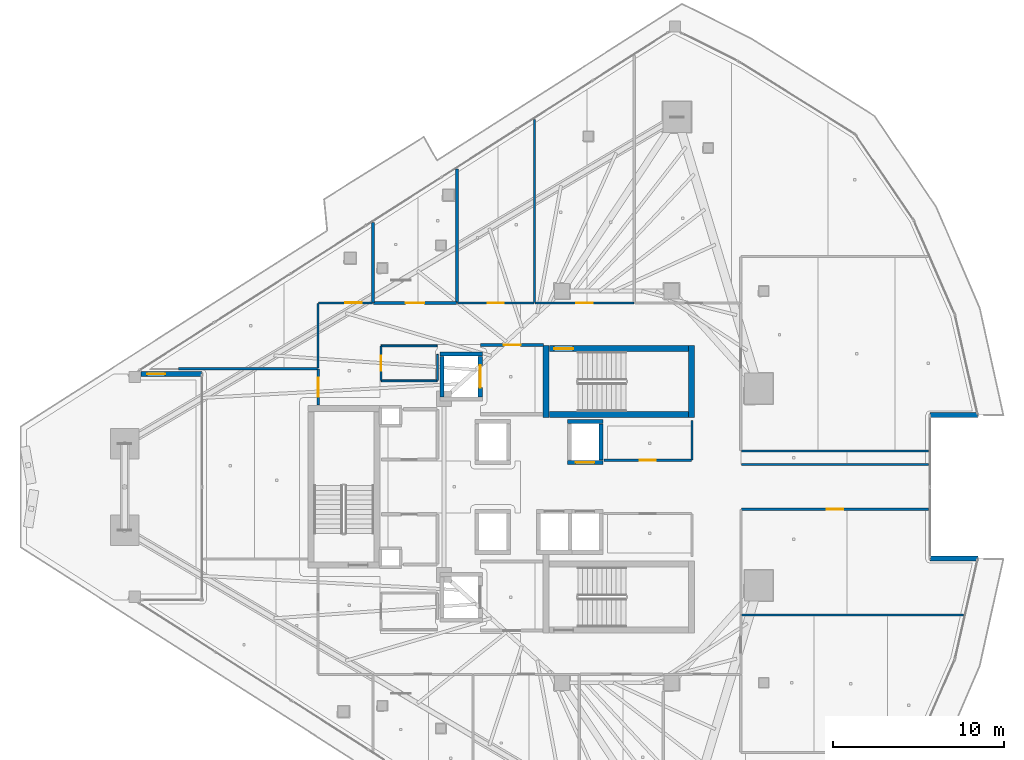
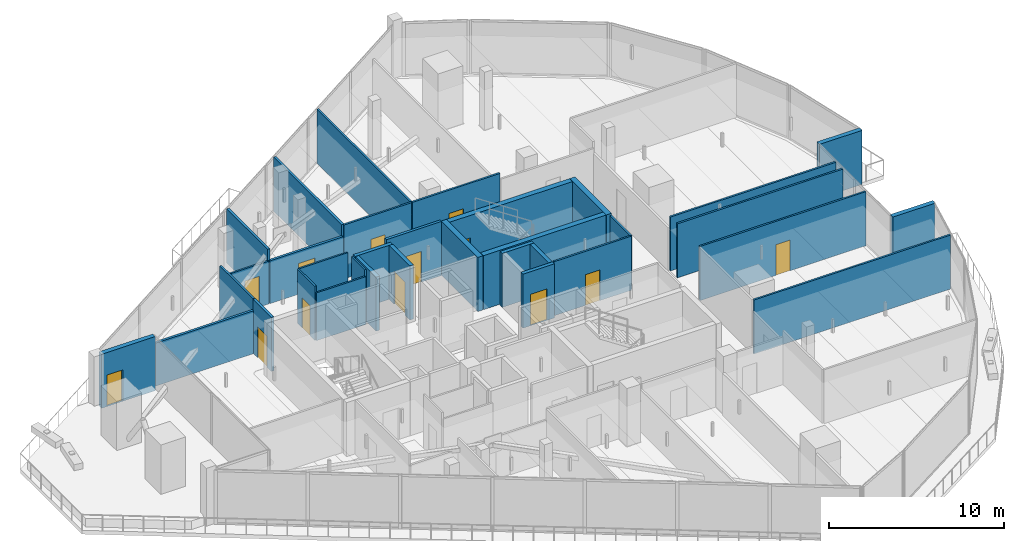
# One storey, part 30 of 40: 34 walls, 13 doors, 13 openings.
"""IFC4 building model written with IfcOpenShell, lengths in metres."""

from ifc_helpers import new_model, si_unit, direction, frame, frame_2d, origin, place, context, subcontext, project, spatial, rectangle, extrude, material, layer, layer_set, type_object, element, fill, save


model = new_model("IFC4")

# Units and contexts
model_context = context("Model", 3, precision=1e-05, world=origin(), true_north=direction((0.0, 1.0)))
body_context = subcontext(model_context, "Body", "Model", "MODEL_VIEW")
ifc_project = project(units=[si_unit("LENGTHUNIT", "METRE"), si_unit("AREAUNIT", "SQUARE_METRE"), si_unit("VOLUMEUNIT", "CUBIC_METRE"), si_unit("PLANEANGLEUNIT", "RADIAN"), si_unit("MASSUNIT", "GRAM", prefix="KILO")], contexts=[model_context])

# Site, building, storey
site_placement = place(None, origin())
site = spatial("IfcSite", under=ifc_project, at=site_placement, CompositionType="ELEMENT")
building_placement = place(site_placement, origin())
building = spatial("IfcBuilding", under=site, at=building_placement, Name="Qorvath Tower", CompositionType="ELEMENT")
storey_placement = place(building_placement, frame((0.0, 0.0, 225.300048828125)))
storey = spatial("IfcBuildingStorey", under=building, at=storey_placement, Name="L52", CompositionType="ELEMENT", Elevation=225.300048828125)

# Wall, opening, door
ifc_material_1 = material(Name="Gypsum shaftliner on steel studs", Category="steel")
ifc_layer_1 = layer(ifc_material_1, 0.179931640625)
ifc_layer_set_1 = layer_set([ifc_layer_1], Name="FW-LOBBY")
wall_type_1 = type_object("IfcWallType", Name="FW-LOBBY", PredefinedType="PARTITIONING", material=ifc_layer_set_1)
wall_1_placement = place(storey_placement, frame((-24.68408203125, 8.300048828125, 0.0), z_axis=(0.0, 0.0, 1.0), x_axis=(-1.0, 0.0, 0.0)))
wall_1 = element("IfcWall", 1, at=wall_1_placement, inside=storey, type_object=wall_type_1, Name="Interior Partition IW-T1-L52-002", PredefinedType="PARTITIONING", context=body_context, shape_type="SweptSolid", body=[
    extrude(rectangle(XDim=3.6708984375, YDim=0.179931640625, at=frame_2d((1.83544921875, 0.0))), origin(), (0.0, 0.0, 1.0), 3.780029296875),
])
opening_1_placement = place(wall_1_placement, frame((1.33544921875, 0.0, 0.0)))
opening_1 = element("IfcOpeningElement", 2, at=opening_1_placement, cuts=wall_1, Name="Opening D-T1-L52-21", PredefinedType="OPENING", context=body_context, shape_type="SweptSolid", body=[
    extrude(rectangle(XDim=1.0, YDim=2.14990234375, at=frame_2d((0.5, 1.074951171875))), frame((0.0, 0.10009765625, 0.0), z_axis=(0.0, -1.0, 0.0), x_axis=(1.0, 0.0, 0.0)), (0.0, 0.0, 1.0), 0.199951171875),
])
ifc_material_2 = material(Name="Painted galvanised hollow metal", Category="steel")
door_type_1 = type_object("IfcDoorType", Name="FD-60", OperationType="NOTDEFINED", PredefinedType="DOOR", material=ifc_material_2)
door_1_placement = place(opening_1_placement, origin())
door_1 = element("IfcDoor", 3, at=door_1_placement, inside=storey, type_object=door_type_1, Name="Lobby Fire Service Elevator North Door D-T1-L52-21", OperationType="SINGLE_SWING_RIGHT", OverallHeight=2.14990234375, OverallWidth=1.0, PredefinedType="DOOR", context=body_context, shape_type="SweptSolid", body=[
    extrude(rectangle(XDim=1.0, YDim=2.14990234375, at=frame_2d((0.5, 1.074951171875))), frame((0.0, 0.02490234375, 0.0), z_axis=(0.0, -1.0, 0.0), x_axis=(1.0, 0.0, 0.0)), (0.0, 0.0, 1.0), 0.050048828125),
])
fill(opening_1, door_1)

ifc_material_3 = material(Name="Double acoustic gypsum board on steel studs", Category="steel")
ifc_layer_2 = layer(ifc_material_3, 0.159912109375)
ifc_layer_set_2 = layer_set([ifc_layer_2], Name="IW-ACOUSTIC-160")
wall_type_2 = type_object("IfcWallType", Name="IW-ACOUSTIC-160", PredefinedType="PARTITIONING", material=ifc_layer_set_2)
wall_2_placement = place(storey_placement, frame((-34.625, 10.758056640625, 0.0), z_axis=(0.0, 0.0, 1.0), x_axis=(1.0, 0.0, 0.0)))
wall_2 = element("IfcWall", 4, at=wall_2_placement, inside=storey, type_object=wall_type_2, Name="Interior Partition IW-T1-L52-023", PredefinedType="PARTITIONING", context=body_context, shape_type="SweptSolid", body=[
    extrude(rectangle(XDim=4.861083984375, YDim=0.159912109375, at=frame_2d((2.4306640625, 0.0))), origin(), (0.0, 0.0, 1.0), 3.0),
])
opening_2_placement = place(wall_2_placement, frame((1.880615234375, 0.0, 0.0)))
opening_2 = element("IfcOpeningElement", 5, at=opening_2_placement, cuts=wall_2, Name="Opening D-T1-L52-07", PredefinedType="OPENING", context=body_context, shape_type="SweptSolid", body=[
    extrude(rectangle(XDim=1.10009765625, YDim=2.14990234375, at=frame_2d((0.550048828125, 1.074951171875))), frame((0.0, 0.08984375, 0.0), z_axis=(0.0, -1.0, 0.0), x_axis=(1.0, 0.0, 0.0)), (0.0, 0.0, 1.0), 0.179931640625),
])
ifc_material_4 = material(Name="Anodised aluminium acoustic framed glass", Category="aluminium")
door_type_2 = type_object("IfcDoorType", Name="D-03", OperationType="NOTDEFINED", PredefinedType="DOOR", material=ifc_material_4)
door_2_placement = place(opening_2_placement, origin())
door_2 = element("IfcDoor", 6, at=door_2_placement, inside=storey, type_object=door_type_2, Name="L52-01 Client Services Office Door D-T1-L52-07", OperationType="SINGLE_SWING_RIGHT", OverallHeight=2.14990234375, OverallWidth=1.10009765625, PredefinedType="DOOR", context=body_context, shape_type="SweptSolid", body=[
    extrude(rectangle(XDim=1.10009765625, YDim=2.14990234375, at=frame_2d((0.550048828125, 1.074951171875))), frame((0.0, 0.02490234375, 0.0), z_axis=(0.0, -1.0, 0.0), x_axis=(1.0, 0.0, 0.0)), (0.0, 0.0, 1.0), 0.050048828125),
])
fill(opening_2, door_2)

# Walls
wall_3_placement = place(storey_placement, frame((-29.73876953125, 10.783203125, 0.0), z_axis=(0.0, 0.0, 1.0), x_axis=(0.0, 1.0, 0.0)))
element("IfcWall", 7, at=wall_3_placement, inside=storey, type_object=wall_type_2, Name="Interior Partition IW-T1-L52-024", PredefinedType="PARTITIONING", context=body_context, shape_type="SweptSolid", body=[
    extrude(rectangle(XDim=7.81787109375, YDim=0.159912109375, at=frame_2d((3.908935546875, 0.0))), origin(), (0.0, 0.0, 1.0), 3.780029296875),
])
wall_4_placement = place(storey_placement, frame((-34.64990234375, 15.462158203125, 0.0), z_axis=(0.0, 0.0, 1.0), x_axis=(0.0, -1.0, 0.0)))
element("IfcWall", 8, at=wall_4_placement, inside=storey, type_object=wall_type_2, Name="Interior Partition IW-T1-L52-025", PredefinedType="PARTITIONING", context=body_context, shape_type="SweptSolid", body=[
    extrude(rectangle(XDim=4.678955078125, YDim=0.159912109375, at=frame_2d((2.33935546875, 0.0))), origin(), (0.0, 0.0, 1.0), 3.780029296875),
])

# Wall, opening, door
wall_5_placement = place(storey_placement, frame((-37.85791015625, 4.783203125, 0.0), z_axis=(0.0, 0.0, 1.0), x_axis=(0.0, 1.0, 0.0)))
wall_5 = element("IfcWall", 9, at=wall_5_placement, inside=storey, type_object=wall_type_2, Name="Interior Partition IW-T1-L52-054", PredefinedType="PARTITIONING", context=body_context, shape_type="SweptSolid", body=[
    extrude(rectangle(XDim=2.102783203125, YDim=0.159912109375, at=frame_2d((1.05126953125, 0.0))), origin(), (0.0, 0.0, 1.0), 3.780029296875),
])
opening_3_placement = place(wall_5_placement, frame((0.50146484375, 0.0, 0.0)))
opening_3 = element("IfcOpeningElement", 10, at=opening_3_placement, cuts=wall_5, Name="Opening D-T1-L52-19", PredefinedType="OPENING", context=body_context, shape_type="SweptSolid", body=[
    extrude(rectangle(XDim=1.10009765625, YDim=2.14990234375, at=frame_2d((0.550048828125, 1.074951171875))), frame((0.0, 0.08984375, 0.0), z_axis=(0.0, -1.0, 0.0), x_axis=(1.0, 0.0, 0.0)), (0.0, 0.0, 1.0), 0.179931640625),
])
door_3_placement = place(opening_3_placement, origin())
door_3 = element("IfcDoor", 11, at=door_3_placement, inside=storey, type_object=door_type_2, Name="L52-13 Client Services Office Door D-T1-L52-19", OperationType="SINGLE_SWING_RIGHT", OverallHeight=2.14990234375, OverallWidth=1.10009765625, PredefinedType="DOOR", context=body_context, shape_type="SweptSolid", body=[
    extrude(rectangle(XDim=1.10009765625, YDim=2.14990234375, at=frame_2d((0.550048828125, 1.074951171875))), frame((0.0, 0.02490234375, 0.0), z_axis=(0.0, -1.0, 0.0), x_axis=(1.0, 0.0, 0.0)), (0.0, 0.0, 1.0), 0.050048828125),
])
fill(opening_3, door_3)

# Wall
wall_6_placement = place(storey_placement, frame((-37.8828125, 6.910888671875, 0.0), z_axis=(0.0, 0.0, 1.0), x_axis=(-1.0, 0.0, 0.0)))
element("IfcWall", 12, at=wall_6_placement, inside=storey, type_object=wall_type_2, Name="Interior Partition IW-T1-L52-055", PredefinedType="PARTITIONING", context=body_context, shape_type="SweptSolid", body=[
    extrude(rectangle(XDim=8.1279296875, YDim=0.159912109375, at=frame_2d((4.06396484375, 0.0))), origin(), (0.0, 0.0, 1.0), 3.0),
])

# Wall, opening, door
ifc_material_5 = material(Name="Gypsum board on metal studs with mineral wool", Category="gypsum")
ifc_layer_3 = layer(ifc_material_5, 0.125)
ifc_layer_set_3 = layer_set([ifc_layer_3], Name="IW-PART-125")
wall_type_3 = type_object("IfcWallType", Name="IW-PART-125", PredefinedType="PARTITIONING", material=ifc_layer_set_3)
wall_7_placement = place(storey_placement, frame((-21.1337890625, 1.56005859375, 0.0), z_axis=(0.0, 0.0, 1.0), x_axis=(1.0, 0.0, 0.0)))
wall_7 = element("IfcWall", 13, at=wall_7_placement, inside=storey, type_object=wall_type_3, Name="Interior Partition IW-T1-L52-013", PredefinedType="PARTITIONING", context=body_context, shape_type="SweptSolid", body=[
    extrude(rectangle(XDim=5.10888671875, YDim=0.125, at=frame_2d((2.554443359375, 0.0))), origin(), (0.0, 0.0, 1.0), 3.780029296875),
])
opening_4_placement = place(wall_7_placement, frame((2.079345703125, 0.0, 0.0)))
opening_4 = element("IfcOpeningElement", 14, at=opening_4_placement, cuts=wall_7, Name="Opening D-T1-L52-03", PredefinedType="OPENING", context=body_context, shape_type="SweptSolid", body=[
    extrude(rectangle(XDim=0.949951171875, YDim=2.14990234375, at=frame_2d((0.47509765625, 1.074951171875))), frame((0.0, 0.072509765625, 0.0), z_axis=(0.0, -1.0, 0.0), x_axis=(1.0, 0.0, 0.0)), (0.0, 0.0, 1.0), 0.14501953125),
])
ifc_material_6 = material(Name="Solid-core American white oak veneer", Category="wood")
door_type_3 = type_object("IfcDoorType", Name="D-01", OperationType="NOTDEFINED", PredefinedType="DOOR", material=ifc_material_6)
door_4_placement = place(opening_4_placement, origin())
door_4 = element("IfcDoor", 15, at=door_4_placement, inside=storey, type_object=door_type_3, Name="L52-RCN North Quantitative Server Suite Door D-T1-L52-03", OperationType="SINGLE_SWING_RIGHT", OverallHeight=2.14990234375, OverallWidth=0.949951171875, PredefinedType="DOOR", context=body_context, shape_type="SweptSolid", body=[
    extrude(rectangle(XDim=0.949951171875, YDim=2.14990234375, at=frame_2d((0.47509765625, 1.074951171875))), frame((0.0, 0.02490234375, 0.0), z_axis=(0.0, -1.0, 0.0), x_axis=(1.0, 0.0, 0.0)), (0.0, 0.0, 1.0), 0.050048828125),
])
fill(opening_4, door_4)

# Wall
wall_8_placement = place(storey_placement, frame((-16.0, 1.585205078125, 0.0), z_axis=(0.0, 0.0, 1.0), x_axis=(0.0, 1.0, 0.0)))
element("IfcWall", 16, at=wall_8_placement, inside=storey, type_object=wall_type_3, Name="Interior Partition IW-T1-L52-014", PredefinedType="PARTITIONING", context=body_context, shape_type="SweptSolid", body=[
    extrude(rectangle(XDim=2.30224609375, YDim=0.125, at=frame_2d((1.151123046875, 0.0))), origin(), (0.0, 0.0, 1.0), 3.780029296875),
])

# Wall, opening, door
wall_9_placement = place(storey_placement, frame((-29.7060546875, 10.758056640625, 0.0), z_axis=(0.0, 0.0, 1.0), x_axis=(1.0, 0.0, 0.0)))
wall_9 = element("IfcWall", 17, at=wall_9_placement, inside=storey, type_object=wall_type_3, Name="Interior Partition IW-T1-L52-026", PredefinedType="PARTITIONING", context=body_context, shape_type="SweptSolid", body=[
    extrude(rectangle(XDim=4.46826171875, YDim=0.125, at=frame_2d((2.234130859375, 0.0))), origin(), (0.0, 0.0, 1.0), 3.780029296875),
])
opening_5_placement = place(wall_9_placement, frame((1.759033203125, 0.0, 0.0)))
opening_5 = element("IfcOpeningElement", 18, at=opening_5_placement, cuts=wall_9, Name="Opening D-T1-L52-08", PredefinedType="OPENING", context=body_context, shape_type="SweptSolid", body=[
    extrude(rectangle(XDim=0.949951171875, YDim=2.14990234375, at=frame_2d((0.47509765625, 1.074951171875))), frame((0.0, 0.072509765625, 0.0), z_axis=(0.0, -1.0, 0.0), x_axis=(1.0, 0.0, 0.0)), (0.0, 0.0, 1.0), 0.14501953125),
])
door_5_placement = place(opening_5_placement, origin())
door_5 = element("IfcDoor", 19, at=door_5_placement, inside=storey, type_object=door_type_3, Name="L52-02 Project Collaboration Workspace Door D-T1-L52-08", OperationType="SINGLE_SWING_LEFT", OverallHeight=2.14990234375, OverallWidth=0.949951171875, PredefinedType="DOOR", context=body_context, shape_type="SweptSolid", body=[
    extrude(rectangle(XDim=0.949951171875, YDim=2.14990234375, at=frame_2d((0.47509765625, 1.074951171875))), frame((0.0, 0.02490234375, 0.0), z_axis=(0.0, -1.0, 0.0), x_axis=(1.0, 0.0, 0.0)), (0.0, 0.0, 1.0), 0.050048828125),
])
fill(opening_5, door_5)

# Wall
wall_10_placement = place(storey_placement, frame((-25.212890625, 10.783203125, 0.0), z_axis=(0.0, 0.0, 1.0), x_axis=(0.0, 1.0, 0.0)))
element("IfcWall", 20, at=wall_10_placement, inside=storey, type_object=wall_type_3, Name="Interior Partition IW-T1-L52-027", PredefinedType="PARTITIONING", context=body_context, shape_type="SweptSolid", body=[
    extrude(rectangle(XDim=10.71044921875, YDim=0.125, at=frame_2d((5.355224609375, 0.0))), origin(), (0.0, 0.0, 1.0), 3.780029296875),
])

# Wall, opening, door
wall_11_placement = place(storey_placement, frame((-25.1796875, 10.758056640625, 0.0), z_axis=(0.0, 0.0, 1.0), x_axis=(1.0, 0.0, 0.0)))
wall_11 = element("IfcWall", 21, at=wall_11_placement, inside=storey, type_object=wall_type_3, Name="Interior Partition IW-T1-L52-028", PredefinedType="PARTITIONING", context=body_context, shape_type="SweptSolid", body=[
    extrude(rectangle(XDim=5.78076171875, YDim=0.125, at=frame_2d((2.890380859375, 0.0))), origin(), (0.0, 0.0, 1.0), 3.780029296875),
])
opening_6_placement = place(wall_11_placement, frame((2.415283203125, 0.0, 0.0)))
opening_6 = element("IfcOpeningElement", 22, at=opening_6_placement, cuts=wall_11, Name="Opening D-T1-L52-09", PredefinedType="OPENING", context=body_context, shape_type="SweptSolid", body=[
    extrude(rectangle(XDim=0.949951171875, YDim=2.14990234375, at=frame_2d((0.47509765625, 1.074951171875))), frame((0.0, 0.072509765625, 0.0), z_axis=(0.0, -1.0, 0.0), x_axis=(1.0, 0.0, 0.0)), (0.0, 0.0, 1.0), 0.14501953125),
])
door_6_placement = place(opening_6_placement, origin())
door_6 = element("IfcDoor", 23, at=door_6_placement, inside=storey, type_object=door_type_3, Name="L52-03 Staff Wellness Studio Door D-T1-L52-09", OperationType="SINGLE_SWING_RIGHT", OverallHeight=2.14990234375, OverallWidth=0.949951171875, PredefinedType="DOOR", context=body_context, shape_type="SweptSolid", body=[
    extrude(rectangle(XDim=0.949951171875, YDim=2.14990234375, at=frame_2d((0.47509765625, 1.074951171875))), frame((0.0, 0.02490234375, 0.0), z_axis=(0.0, -1.0, 0.0), x_axis=(1.0, 0.0, 0.0)), (0.0, 0.0, 1.0), 0.050048828125),
])
fill(opening_6, door_6)

# Walls
wall_12_placement = place(storey_placement, frame((-0.114990234375, -7.480712890625, 0.0), z_axis=(0.0, 0.0, 1.0), x_axis=(-1.0, 0.0, 0.0)))
element("IfcWall", 24, at=wall_12_placement, inside=storey, type_object=wall_type_3, Name="Interior Partition IW-T1-L52-044", PredefinedType="PARTITIONING", context=body_context, shape_type="SweptSolid", body=[
    extrude(rectangle(XDim=13.002197265625, YDim=0.125, at=frame_2d((6.5009765625, 0.0))), origin(), (0.0, 0.0, 1.0), 3.780029296875),
])
for number, where, z_axis, x_axis, name in (
    (25, (-2.16455078125, 2.095458984375, 0.0), (0.0, 0.0, 1.0), (-1.0, 0.0, 0.0), "Interior Partition IW-T1-L52-046"),
    (26, (-2.16455078125, 1.30810546875, 0.0), (0.0, 0.0, 1.0), (-1.0, 0.0, 0.0), "Interior Partition IW-T1-L52-047"),
):
    element("IfcWall", number, at=place(storey_placement, frame(where, z_axis=z_axis, x_axis=x_axis)), inside=storey, type_object=wall_type_3, Name=name, PredefinedType="PARTITIONING", context=body_context, shape_type="SweptSolid", body=[
        extrude(rectangle(XDim=10.95263671875, YDim=0.125, at=frame_2d((5.476318359375, 0.0))), origin(), (0.0, 0.0, 1.0), 3.780029296875),
    ])

# Wall, opening, door
wall_13_placement = place(storey_placement, frame((-2.16455078125, -1.30810546875, 0.0), z_axis=(0.0, 0.0, 1.0), x_axis=(-1.0, 0.0, 0.0)))
wall_13 = element("IfcWall", 27, at=wall_13_placement, inside=storey, type_object=wall_type_3, Name="Interior Partition IW-T1-L52-048", PredefinedType="PARTITIONING", context=body_context, shape_type="SweptSolid", body=[
    extrude(rectangle(XDim=10.95263671875, YDim=0.125, at=frame_2d((5.476318359375, 0.0))), origin(), (0.0, 0.0, 1.0), 3.780029296875),
])
opening_7_placement = place(wall_13_placement, frame((5.001220703125, 0.0, 0.0)))
opening_7 = element("IfcOpeningElement", 28, at=opening_7_placement, cuts=wall_13, Name="Opening D-T1-L52-16", PredefinedType="OPENING", context=body_context, shape_type="SweptSolid", body=[
    extrude(rectangle(XDim=0.949951171875, YDim=2.14990234375, at=frame_2d((0.47509765625, 1.074951171875))), frame((0.0, 0.072509765625, 0.0), z_axis=(0.0, -1.0, 0.0), x_axis=(1.0, 0.0, 0.0)), (0.0, 0.0, 1.0), 0.14501953125),
])
door_7_placement = place(opening_7_placement, origin())
door_7 = element("IfcDoor", 29, at=door_7_placement, inside=storey, type_object=door_type_3, Name="L52-10 Open Workplace Studio Door D-T1-L52-16", OperationType="SINGLE_SWING_LEFT", OverallHeight=2.14990234375, OverallWidth=0.949951171875, PredefinedType="DOOR", context=body_context, shape_type="SweptSolid", body=[
    extrude(rectangle(XDim=0.949951171875, YDim=2.14990234375, at=frame_2d((0.47509765625, 1.074951171875))), frame((0.0, 0.02490234375, 0.0), z_axis=(0.0, -1.0, 0.0), x_axis=(1.0, 0.0, 0.0)), (0.0, 0.0, 1.0), 0.050048828125),
])
fill(opening_7, door_7)

# Wall
wall_14_placement = place(storey_placement, frame((-37.85791015625, 6.943603515625, 0.0), z_axis=(0.0, 0.0, 1.0), x_axis=(0.0, 1.0, 0.0)))
element("IfcWall", 30, at=wall_14_placement, inside=storey, type_object=wall_type_3, Name="Interior Partition IW-T1-L52-056", PredefinedType="PARTITIONING", context=body_context, shape_type="SweptSolid", body=[
    extrude(rectangle(XDim=3.78955078125, YDim=0.125, at=frame_2d((1.894775390625, 0.0))), origin(), (0.0, 0.0, 1.0), 3.780029296875),
])

# Wall, opening, door
wall_15_placement = place(storey_placement, frame((-34.68310546875, 10.758056640625, 0.0), z_axis=(0.0, 0.0, 1.0), x_axis=(-1.0, 0.0, 0.0)))
wall_15 = element("IfcWall", 31, at=wall_15_placement, inside=storey, type_object=wall_type_3, Name="Interior Partition IW-T1-L52-057", PredefinedType="PARTITIONING", context=body_context, shape_type="SweptSolid", body=[
    extrude(rectangle(XDim=3.14990234375, YDim=0.125, at=frame_2d((1.574951171875, 0.0))), origin(), (0.0, 0.0, 1.0), 3.0),
])
opening_8_placement = place(wall_15_placement, frame((0.628662109375, 0.0, 0.0)))
opening_8 = element("IfcOpeningElement", 32, at=opening_8_placement, cuts=wall_15, Name="Opening D-T1-L52-20", PredefinedType="OPENING", context=body_context, shape_type="SweptSolid", body=[
    extrude(rectangle(XDim=0.949951171875, YDim=2.14990234375, at=frame_2d((0.47509765625, 1.074951171875))), frame((0.0, 0.072509765625, 0.0), z_axis=(0.0, -1.0, 0.0), x_axis=(1.0, 0.0, 0.0)), (0.0, 0.0, 1.0), 0.14501953125),
])
door_8_placement = place(opening_8_placement, origin())
door_8 = element("IfcDoor", 33, at=door_8_placement, inside=storey, type_object=door_type_3, Name="L52-14 Project Collaboration Workspace Door D-T1-L52-20", OperationType="SINGLE_SWING_LEFT", OverallHeight=2.14990234375, OverallWidth=0.949951171875, PredefinedType="DOOR", context=body_context, shape_type="SweptSolid", body=[
    extrude(rectangle(XDim=0.949951171875, YDim=2.14990234375, at=frame_2d((0.47509765625, 1.074951171875))), frame((0.0, 0.02490234375, 0.0), z_axis=(0.0, -1.0, 0.0), x_axis=(1.0, 0.0, 0.0)), (0.0, 0.0, 1.0), 0.050048828125),
])
fill(opening_8, door_8)

ifc_material_7 = material(Name="Moisture-resistant cement board on metal studs", Category="gypsum")
ifc_layer_4 = layer(ifc_material_7, 0.110107421875)
ifc_layer_set_4 = layer_set([ifc_layer_4], Name="IW-WC-110")
wall_type_4 = type_object("IfcWallType", Name="IW-WC-110", PredefinedType="PARTITIONING", material=ifc_layer_set_4)
wall_16_placement = place(storey_placement, frame((-34.179931640625, 8.22509765625, 0.0), z_axis=(0.0, 0.0, 1.0), x_axis=(0.0, -1.0, 0.0)))
wall_16 = element("IfcWall", 34, at=wall_16_placement, inside=storey, type_object=wall_type_4, Name="Interior Partition IW-T1-L52-005", PredefinedType="PARTITIONING", context=body_context, shape_type="SweptSolid", body=[
    extrude(rectangle(XDim=2.0, YDim=0.110107421875, at=frame_2d((1.0, 0.0))), origin(), (0.0, 0.0, 1.0), 3.780029296875),
])
opening_9_placement = place(wall_16_placement, frame((0.56005859375, 0.0, 0.0)))
opening_9 = element("IfcOpeningElement", 35, at=opening_9_placement, cuts=wall_16, Name="Opening D-T1-L52-01", PredefinedType="OPENING", context=body_context, shape_type="SweptSolid", body=[
    extrude(rectangle(XDim=0.8798828125, YDim=2.10009765625, at=frame_2d((0.43994140625, 1.050048828125))), frame((0.0, 0.06494140625, 0.0), z_axis=(0.0, -1.0, 0.0), x_axis=(1.0, 0.0, 0.0)), (0.0, 0.0, 1.0), 0.130126953125),
])
ifc_material_8 = material(Name="Solid-core oak with acoustic drop seal", Category="wood")
door_type_4 = type_object("IfcDoorType", Name="D-02", OperationType="NOTDEFINED", PredefinedType="DOOR", material=ifc_material_8)
door_9_placement = place(opening_9_placement, origin())
door_9 = element("IfcDoor", 36, at=door_9_placement, inside=storey, type_object=door_type_4, Name="WC All-Gender North L52 Door D-T1-L52-01", OperationType="SINGLE_SWING_RIGHT", OverallHeight=2.10009765625, OverallWidth=0.8798828125, PredefinedType="DOOR", context=body_context, shape_type="SweptSolid", body=[
    extrude(rectangle(XDim=0.8798828125, YDim=2.10009765625, at=frame_2d((0.43994140625, 1.050048828125))), frame((0.0, 0.02490234375, 0.0), z_axis=(0.0, -1.0, 0.0), x_axis=(1.0, 0.0, 0.0)), (0.0, 0.0, 1.0), 0.050048828125),
])
fill(opening_9, door_9)

# Walls
wall_17_placement = place(storey_placement, frame((-34.15478515625, 6.199951171875, 0.0), z_axis=(0.0, 0.0, 1.0), x_axis=(1.0, 0.0, 0.0)))
element("IfcWall", 37, at=wall_17_placement, inside=storey, type_object=wall_type_4, Name="Interior Partition IW-T1-L52-006", PredefinedType="PARTITIONING", context=body_context, shape_type="SweptSolid", body=[
    extrude(rectangle(XDim=3.25, YDim=0.110107421875, at=frame_2d((1.625, 0.0))), origin(), (0.0, 0.0, 1.0), 3.34423828125),
])
wall_18_placement = place(storey_placement, frame((-30.8798828125, 6.22509765625, 0.0), z_axis=(0.0, 0.0, 1.0), x_axis=(0.0, 1.0, 0.0)))
element("IfcWall", 38, at=wall_18_placement, inside=storey, type_object=wall_type_4, Name="Interior Partition IW-T1-L52-007", PredefinedType="PARTITIONING", context=body_context, shape_type="SweptSolid", body=[
    extrude(rectangle(XDim=1.517822265625, YDim=0.110107421875, at=frame_2d((0.7587890625, 0.0))), origin(), (0.0, 0.0, 1.0), 3.780029296875),
])
wall_19_placement = place(storey_placement, frame((-30.90478515625, 8.25, 0.0), z_axis=(0.0, 0.0, 1.0), x_axis=(-1.0, 0.0, 0.0)))
element("IfcWall", 39, at=wall_19_placement, inside=storey, type_object=wall_type_4, Name="Interior Partition IW-T1-L52-008", PredefinedType="PARTITIONING", context=body_context, shape_type="SweptSolid", body=[
    extrude(rectangle(XDim=3.25, YDim=0.110107421875, at=frame_2d((1.625, 0.0))), origin(), (0.0, 0.0, 1.0), 3.780029296875),
])
ifc_material_9 = material(Name="Concrete C60/75", Category="concrete")
ifc_layer_5 = layer(ifc_material_9, 0.260009765625)
ifc_layer_set_5 = layer_set([ifc_layer_5], Name="SW-SHAFT")
wall_type_5 = type_object("IfcWallType", Name="SW-SHAFT", PredefinedType="SHEAR", material=ifc_layer_set_5)
wall_20_placement = place(storey_placement, frame((-30.739990234375, 7.77001953125, 0.0), z_axis=(0.0, 0.0, 1.0), x_axis=(1.0, 0.0, 0.0)))
element("IfcWall", 40, at=wall_20_placement, inside=storey, type_object=wall_type_5, Name="Hoistway Wall FSAE-1 L52 N", PredefinedType="SHEAR", context=body_context, shape_type="SweptSolid", body=[
    extrude(rectangle(XDim=2.47998046875, YDim=0.239990234375, at=frame_2d((1.239990234375, 0.0))), origin(), (0.0, 0.0, 1.0), 3.780029296875),
])
wall_21_placement = place(storey_placement, frame((-30.6201171875, 5.261962890625, 0.0), z_axis=(0.0, 0.0, 1.0), x_axis=(0.0, 1.0, 0.0)))
element("IfcWall", 41, at=wall_21_placement, inside=storey, type_object=wall_type_5, Name="Hoistway Wall FSAE-1 L52 W", PredefinedType="SHEAR", context=body_context, shape_type="SweptSolid", body=[
    extrude(rectangle(XDim=2.3759765625, YDim=0.239990234375, at=frame_2d((1.18798828125, 0.0))), origin(), (0.0, 0.0, 1.0), 3.780029296875),
])

# Wall, opening, door
wall_22_placement = place(storey_placement, frame((-28.3798828125, 7.637939453125, 0.0), z_axis=(0.0, 0.0, 1.0), x_axis=(0.0, -1.0, 0.0)))
wall_22 = element("IfcWall", 42, at=wall_22_placement, inside=storey, type_object=wall_type_5, Name="Hoistway Wall FSAE-1 L52 E", PredefinedType="SHEAR", context=body_context, shape_type="SweptSolid", body=[
    extrude(rectangle(XDim=2.3759765625, YDim=0.239990234375, at=frame_2d((1.18798828125, 0.0))), origin(), (0.0, 0.0, 1.0), 3.780029296875),
])
opening_10_placement = place(wall_22_placement, frame((0.537841796875, 0.0, 0.0)))
opening_10 = element("IfcOpeningElement", 43, at=opening_10_placement, cuts=wall_22, Name="Opening LD-FSAE-1-L52", PredefinedType="OPENING", context=body_context, shape_type="SweptSolid", body=[
    extrude(rectangle(XDim=1.300048828125, YDim=2.300048828125, at=frame_2d((0.64990234375, 1.14990234375))), frame((0.0, 0.1298828125, 0.0), z_axis=(0.0, -1.0, 0.0), x_axis=(1.0, 0.0, 0.0)), (0.0, 0.0, 1.0), 0.260009765625),
])
ifc_material_10 = material(Name="Brushed stainless steel AISI 316", Category="steel")
door_type_5 = type_object("IfcDoorType", Name="LD-02", OperationType="NOTDEFINED", PredefinedType="DOOR", material=ifc_material_10)
door_10_placement = place(opening_10_placement, origin())
door_10 = element("IfcDoor", 44, at=door_10_placement, inside=storey, type_object=door_type_5, Name="Elevator Landing Sliding Door LD-FSAE-1-L52", OperationType="DOUBLE_DOOR_SLIDING", OverallHeight=2.300048828125, OverallWidth=1.300048828125, PredefinedType="DOOR", context=body_context, shape_type="SweptSolid", body=[
    extrude(rectangle(XDim=1.300048828125, YDim=2.300048828125, at=frame_2d((0.64990234375, 1.14990234375))), frame((0.0, 0.02490234375, 0.0), z_axis=(0.0, -1.0, 0.0), x_axis=(1.0, 0.0, 0.0)), (0.0, 0.0, 1.0), 0.050048828125),
])
fill(opening_10, door_10)

wall_23_placement = place(storey_placement, frame((-21.2099609375, 1.429931640625, 0.0), z_axis=(0.0, 0.0, 1.0), x_axis=(-1.0, 0.0, 0.0)))
wall_23 = element("IfcWall", 45, at=wall_23_placement, inside=storey, type_object=wall_type_5, Name="Hoistway Wall PU-1 L52 S", PredefinedType="SHEAR", context=body_context, shape_type="SweptSolid", body=[
    extrude(rectangle(XDim=2.080078125, YDim=0.239990234375, at=frame_2d((1.0400390625, 0.0))), origin(), (0.0, 0.0, 1.0), 3.780029296875),
])
opening_11_placement = place(wall_23_placement, frame((0.489990234375, 0.0, 0.0)))
opening_11 = element("IfcOpeningElement", 46, at=opening_11_placement, cuts=wall_23, Name="Opening LD-PU-1-L52", PredefinedType="OPENING", context=body_context, shape_type="SweptSolid", body=[
    extrude(rectangle(XDim=1.10009765625, YDim=2.199951171875, at=frame_2d((0.550048828125, 1.10009765625))), frame((0.0, 0.1298828125, 0.0), z_axis=(0.0, -1.0, 0.0), x_axis=(1.0, 0.0, 0.0)), (0.0, 0.0, 1.0), 0.260009765625),
])
ifc_material_11 = material(Name="Brushed stainless steel AISI 316", Category="steel")
door_type_6 = type_object("IfcDoorType", Name="LD-01", OperationType="NOTDEFINED", PredefinedType="DOOR", material=ifc_material_11)
door_11_placement = place(opening_11_placement, origin())
door_11 = element("IfcDoor", 47, at=door_11_placement, inside=storey, type_object=door_type_6, Name="Elevator Landing Sliding Door LD-PU-1-L52", OperationType="DOUBLE_DOOR_SLIDING", OverallHeight=2.199951171875, OverallWidth=1.10009765625, PredefinedType="DOOR", context=body_context, shape_type="SweptSolid", body=[
    extrude(rectangle(XDim=1.10009765625, YDim=2.199951171875, at=frame_2d((0.550048828125, 1.10009765625))), frame((0.0, 0.02490234375, 0.0), z_axis=(0.0, -1.0, 0.0), x_axis=(1.0, 0.0, 0.0)), (0.0, 0.0, 1.0), 0.050048828125),
])
fill(opening_11, door_11)

# Walls
wall_24_placement = place(storey_placement, frame((-23.2900390625, 3.820068359375, 0.0), z_axis=(0.0, 0.0, 1.0), x_axis=(1.0, 0.0, 0.0)))
element("IfcWall", 48, at=wall_24_placement, inside=storey, type_object=wall_type_5, Name="Hoistway Wall PU-1 L52 N", PredefinedType="SHEAR", context=body_context, shape_type="SweptSolid", body=[
    extrude(rectangle(XDim=2.080078125, YDim=0.239990234375, at=frame_2d((1.0400390625, 0.0))), origin(), (0.0, 0.0, 1.0), 3.780029296875),
])
wall_25_placement = place(storey_placement, frame((-21.330078125, 3.68798828125, 0.0), z_axis=(0.0, 0.0, 1.0), x_axis=(0.0, -1.0, 0.0)))
element("IfcWall", 49, at=wall_25_placement, inside=storey, type_object=wall_type_5, Name="Hoistway Wall PU-1 L52 E", PredefinedType="SHEAR", context=body_context, shape_type="SweptSolid", body=[
    extrude(rectangle(XDim=2.1259765625, YDim=0.239990234375, at=frame_2d((1.06298828125, 0.0))), origin(), (0.0, 0.0, 1.0), 3.780029296875),
])
ifc_material_12 = material(Name="Concrete C60/75", Category="concrete")
ifc_layer_6 = layer(ifc_material_12, 0.35009765625)
ifc_layer_set_6 = layer_set([ifc_layer_6], Name="SW-STAIR")
wall_type_6 = type_object("IfcWallType", Name="SW-STAIR", PredefinedType="SHEAR", material=ifc_layer_set_6)
for number, where, z_axis, x_axis, name in (
    (50, (-24.52490234375, 8.260009765625, 0.0), (0.0, 0.0, 1.0), (0.0, -1.0, 0.0), "Stair TS1 Shear Wall L52 NEAR"),
    (51, (-16.02490234375, 4.050048828125, 0.0), (0.0, 0.0, 1.0), (0.0, 1.0, 0.0), "Stair TS1 Shear Wall L52 FAR"),
):
    element("IfcWall", number, at=place(storey_placement, frame(where, z_axis=z_axis, x_axis=x_axis)), inside=storey, type_object=wall_type_6, Name=name, PredefinedType="SHEAR", context=body_context, shape_type="SweptSolid", body=[
        extrude(rectangle(XDim=4.2099609375, YDim=0.35009765625, at=frame_2d((2.10498046875, 0.0))), origin(), (0.0, 0.0, 1.0), 3.780029296875),
    ])
wall_26_placement = place(storey_placement, frame((-24.3349609375, 4.22509765625, 0.0), z_axis=(0.0, 0.0, 1.0), x_axis=(1.0, 0.0, 0.0)))
element("IfcWall", 52, at=wall_26_placement, inside=storey, type_object=wall_type_6, Name="Stair TS1 Shear Wall L52 LEFT", PredefinedType="SHEAR", context=body_context, shape_type="SweptSolid", body=[
    extrude(rectangle(XDim=8.119873046875, YDim=0.35009765625, at=frame_2d((4.06005859375, 0.0))), origin(), (0.0, 0.0, 1.0), 3.780029296875),
])

# Wall, opening, door
wall_27_placement = place(storey_placement, frame((-16.215087890625, 8.0849609375, 0.0), z_axis=(0.0, 0.0, 1.0), x_axis=(-1.0, 0.0, 0.0)))
wall_27 = element("IfcWall", 53, at=wall_27_placement, inside=storey, type_object=wall_type_6, Name="Stair TS1 Shear Wall L52 RIGHT", PredefinedType="SHEAR", context=body_context, shape_type="SweptSolid", body=[
    extrude(rectangle(XDim=8.119873046875, YDim=0.35009765625, at=frame_2d((4.06005859375, 0.0))), origin(), (0.0, 0.0, 1.0), 3.780029296875),
])
opening_12_placement = place(wall_27_placement, frame((6.739990234375, 0.0, 0.0)))
opening_12 = element("IfcOpeningElement", 54, at=opening_12_placement, cuts=wall_27, Name="Opening D-TS1-L52", PredefinedType="OPENING", context=body_context, shape_type="SweptSolid", body=[
    extrude(rectangle(XDim=1.10009765625, YDim=2.199951171875, at=frame_2d((0.550048828125, 1.10009765625))), frame((0.0, 0.18505859375, 0.0), z_axis=(0.0, -1.0, 0.0), x_axis=(1.0, 0.0, 0.0)), (0.0, 0.0, 1.0), 0.3701171875),
])
ifc_material_13 = material(Name="Painted galvanised hollow metal", Category="steel")
door_type_7 = type_object("IfcDoorType", Name="FD-90", OperationType="NOTDEFINED", PredefinedType="DOOR", material=ifc_material_13)
door_12_placement = place(opening_12_placement, origin())
door_12 = element("IfcDoor", 55, at=door_12_placement, inside=storey, type_object=door_type_7, Name="Stair TS1 Fire Door L52", OperationType="SINGLE_SWING_LEFT", OverallHeight=2.199951171875, OverallWidth=1.10009765625, PredefinedType="DOOR", context=body_context, shape_type="SweptSolid", body=[
    extrude(rectangle(XDim=1.10009765625, YDim=2.199951171875, at=frame_2d((0.550048828125, 1.10009765625))), frame((0.0, 0.02490234375, 0.0), z_axis=(0.0, -1.0, 0.0), x_axis=(1.0, 0.0, 0.0)), (0.0, 0.0, 1.0), 0.050048828125),
])
fill(opening_12, door_12)

ifc_material_14 = material(Name="Precast concrete C45/55", Category="concrete")
ifc_layer_7 = layer(ifc_material_14, 0.300048828125)
ifc_layer_set_7 = layer_set([ifc_layer_7], Name="WL-EW-LOG-300")
wall_type_7 = type_object("IfcWallType", Name="WL-EW-LOG-300", PredefinedType="SOLIDWALL", material=ifc_layer_set_7)
wall_28_placement = place(storey_placement, frame((-48.20849609375, 6.6044921875, 0.0), z_axis=(0.0, 0.0, 1.0), x_axis=(1.0, 0.0, 0.0)))
wall_28 = element("IfcWall", 56, at=wall_28_placement, inside=storey, type_object=wall_type_7, Name="Tower Precast Loggia Wall L52-1.1", PredefinedType="SOLIDWALL", context=body_context, shape_type="SweptSolid", body=[
    extrude(rectangle(XDim=3.560546875, YDim=0.300048828125, at=frame_2d((1.7802734375, 0.0))), origin(), (0.0, 0.0, 1.0), 3.780029296875),
])
opening_13_placement = place(wall_28_placement, frame((0.358642578125, 0.0, 0.0)))
opening_13 = element("IfcOpeningElement", 57, at=opening_13_placement, cuts=wall_28, Name="Opening ED-L52-01", PredefinedType="OPENING", context=body_context, shape_type="SweptSolid", body=[
    extrude(rectangle(XDim=1.050048828125, YDim=2.199951171875, at=frame_2d((0.52490234375, 1.10009765625))), frame((0.0, 0.16015625, 0.0), z_axis=(0.0, -1.0, 0.0), x_axis=(1.0, 0.0, 0.0)), (0.0, 0.0, 1.0), 0.320068359375),
])
ifc_material_15 = material(Name="Thermally broken aluminium glazed door", Category="aluminium")
door_type_8 = type_object("IfcDoorType", Name="ED-LOG", OperationType="NOTDEFINED", PredefinedType="DOOR", material=ifc_material_15)
door_13_placement = place(opening_13_placement, origin())
door_13 = element("IfcDoor", 58, at=door_13_placement, inside=storey, type_object=door_type_8, Name="L52 Recessed Loggia Access Door 1", OperationType="SINGLE_SWING_LEFT", OverallHeight=2.199951171875, OverallWidth=1.050048828125, PredefinedType="DOOR", context=body_context, shape_type="SweptSolid", body=[
    extrude(rectangle(XDim=1.050048828125, YDim=2.199951171875, at=frame_2d((0.52490234375, 1.10009765625))), frame((0.0, 0.02490234375, 0.0), z_axis=(0.0, -1.0, 0.0), x_axis=(1.0, 0.0, 0.0)), (0.0, 0.0, 1.0), 0.050048828125),
])
fill(opening_13, door_13)

# Walls
for number, where, z_axis, x_axis, name in (
    (59, (0.712646484375, -4.19580078125, 0.0), (0.0, 0.0, 1.0), (-1.0, 0.0, 0.0), "Tower Precast Loggia Wall L52-10.1"),
    (60, (-2.08447265625, 4.19580078125, 0.0), (0.0, 0.0, 1.0), (1.0, 0.0, 0.0), "Tower Precast Loggia Wall L52-12.1"),
):
    element("IfcWall", number, at=place(storey_placement, frame(where, z_axis=z_axis, x_axis=x_axis)), inside=storey, type_object=wall_type_7, Name=name, PredefinedType="SOLIDWALL", context=body_context, shape_type="SweptSolid", body=[
        extrude(rectangle(XDim=2.797119140625, YDim=0.300048828125, at=frame_2d((1.3984375, 0.0))), origin(), (0.0, 0.0, 1.0), 3.780029296875),
    ])

save(model, "model.ifc")
